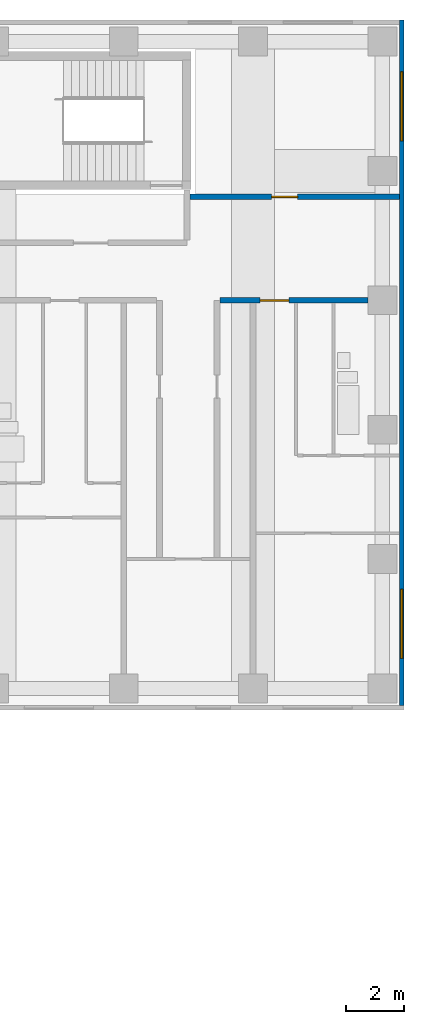
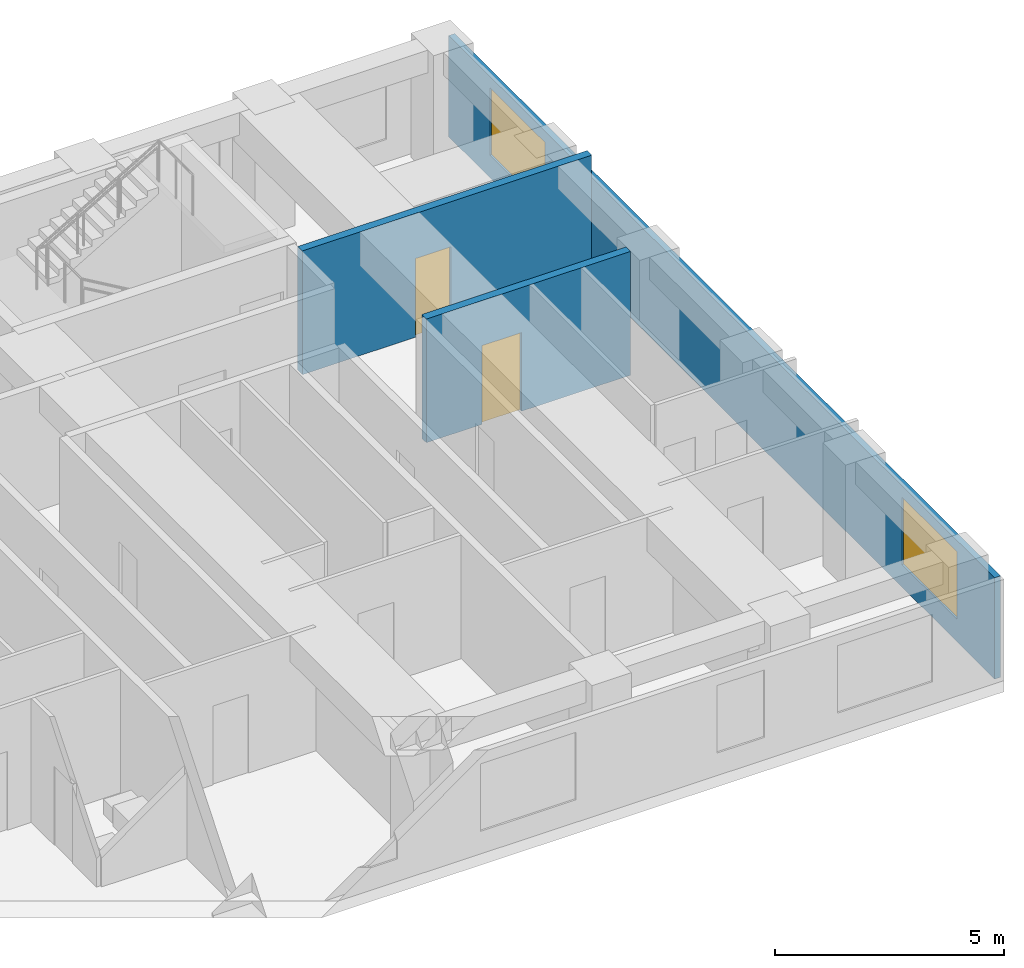
# One storey, part 9 of 12: 3 walls, 2 doors, 2 windows, 4 openings.
"""IFC4 building model written with IfcOpenShell, lengths in metres."""

from ifc_helpers import new_model, si_unit, direction, frame, frame_2d, origin, place, context, subcontext, project, spatial, rectangle, extrude, material, layer, layer_set, type_object, element, fill, save


model = new_model("IFC4")

# Units and contexts
model_context = context("Model", 3, precision=1e-05, world=origin(), true_north=direction((0.0, 1.0)))
body_context = subcontext(model_context, "Body", "Model", "MODEL_VIEW")
ifc_project = project(units=[si_unit("LENGTHUNIT", "METRE"), si_unit("AREAUNIT", "SQUARE_METRE"), si_unit("VOLUMEUNIT", "CUBIC_METRE"), si_unit("PLANEANGLEUNIT", "RADIAN"), si_unit("MASSUNIT", "GRAM", prefix="KILO")], contexts=[model_context])

# Site, building, storey
site_placement = place(None, origin())
site = spatial("IfcSite", under=ifc_project, at=site_placement, CompositionType="ELEMENT")
building_placement = place(site_placement, origin())
building = spatial("IfcBuilding", under=site, at=building_placement, Name="Firuza Court", CompositionType="ELEMENT")
storey_placement = place(building_placement, frame((0.0, 0.0, 126.800048828125)))
storey = spatial("IfcBuildingStorey", under=building, at=storey_placement, Name="L31", CompositionType="ELEMENT", Elevation=126.800048828125)

# Wall, opening, door
ifc_material_1 = material(Name="Blockwork, plastered both sides", Category="masonry")
ifc_layer_1 = layer(ifc_material_1, 0.199951171875)
ifc_layer_set_1 = layer_set([ifc_layer_1], Name="Blockwork, plastered both sides")
wall_type_1 = type_object("IfcWallType", Name="Corridor wall 200", PredefinedType="PARTITIONING", material=ifc_layer_set_1)
wall_1_placement = place(storey_placement, frame((61.85009765625, 49.5, 0.0), z_axis=(0.0, 0.0, 1.0), x_axis=(1.0, 0.0, 0.0)))
wall_1 = element("IfcWall", 1, at=wall_1_placement, inside=storey, type_object=wall_type_1, Name="Corridor wall 200 L31", PredefinedType="PARTITIONING", context=body_context, shape_type="SweptSolid", body=[
    extrude(rectangle(XDim=5.14990234375, YDim=0.199951171875, at=frame_2d((2.574951171875, 0.0))), origin(), (0.0, 0.0, 1.0), 3.300048828125),
])
opening_1_placement = place(wall_1_placement, frame((1.39990234375, 0.0, 0.0)))
opening_1 = element("IfcOpeningElement", 2, at=opening_1_placement, cuts=wall_1, Name="Opening D31070", PredefinedType="OPENING", context=body_context, shape_type="SweptSolid", body=[
    extrude(rectangle(XDim=1.0, YDim=2.10009765625, at=frame_2d((0.5, 1.050048828125))), frame((0.0, 0.11181640625, 0.0), z_axis=(0.0, -1.0, 0.0), x_axis=(1.0, 0.0, 0.0)), (0.0, 0.0, 1.0), 0.223876953125),
])
ifc_material_2 = material(Name="Timber door leaf in hardwood frame", Category="wood")
door_type_1 = type_object("IfcDoorType", Name="Flat entrance door 1000", OperationType="SINGLE_SWING_LEFT", PredefinedType="DOOR", material=ifc_material_2)
door_1_placement = place(opening_1_placement, origin())
door_1 = element("IfcDoor", 3, at=door_1_placement, inside=storey, type_object=door_type_1, Name="Flat entrance door", OperationType="SINGLE_SWING_RIGHT", OverallHeight=2.10009765625, OverallWidth=1.0, PredefinedType="DOOR", context=body_context, shape_type="SweptSolid", body=[
    extrude(rectangle(XDim=1.0, YDim=2.10009765625, at=frame_2d((0.5, 1.050048828125))), frame((0.0, 0.02490234375, 0.0), z_axis=(0.0, -1.0, 0.0), x_axis=(1.0, 0.0, 0.0)), (0.0, 0.0, 1.0), 0.050048828125),
])
fill(opening_1, door_1)

wall_2_placement = place(storey_placement, frame((60.800048828125, 53.10009765625, 0.0), z_axis=(0.0, 0.0, 1.0), x_axis=(1.0, 0.0, 0.0)))
wall_2 = element("IfcWall", 4, at=wall_2_placement, inside=storey, type_object=wall_type_1, Name="Corridor wall 200 L31", PredefinedType="PARTITIONING", context=body_context, shape_type="SweptSolid", body=[
    extrude(rectangle(XDim=7.300048828125, YDim=0.199951171875, at=frame_2d((3.64990234375, 0.0))), origin(), (0.0, 0.0, 1.0), 3.300048828125),
])
opening_2_placement = place(wall_2_placement, frame((2.85009765625, 0.0, 0.0)))
opening_2 = element("IfcOpeningElement", 5, at=opening_2_placement, cuts=wall_2, Name="Opening D31074", PredefinedType="OPENING", context=body_context, shape_type="SweptSolid", body=[
    extrude(rectangle(XDim=0.89990234375, YDim=2.10009765625, at=frame_2d((0.449951171875, 1.050048828125))), frame((0.0, 0.11181640625, 0.0), z_axis=(0.0, -1.0, 0.0), x_axis=(1.0, 0.0, 0.0)), (0.0, 0.0, 1.0), 0.223876953125),
])
ifc_material_3 = material(Name="Timber door leaf in hardwood frame", Category="wood")
door_type_2 = type_object("IfcDoorType", Name="Room door 900 EI 30", OperationType="SINGLE_SWING_LEFT", PredefinedType="DOOR", material=ifc_material_3)
door_2_placement = place(opening_2_placement, origin())
door_2 = element("IfcDoor", 6, at=door_2_placement, inside=storey, type_object=door_type_2, Name="Meeting room door", OperationType="SINGLE_SWING_LEFT", OverallHeight=2.10009765625, OverallWidth=0.89990234375, PredefinedType="DOOR", context=body_context, shape_type="SweptSolid", body=[
    extrude(rectangle(XDim=0.89990234375, YDim=2.10009765625, at=frame_2d((0.449951171875, 1.050048828125))), frame((0.0, 0.02490234375, 0.0), z_axis=(0.0, -1.0, 0.0), x_axis=(1.0, 0.0, 0.0)), (0.0, 0.0, 1.0), 0.050048828125),
])
fill(opening_2, door_2)

# Wall, openings, windows
ifc_material_4 = material(Name="Ceramic tile", Category="ceramic")
ifc_layer_2 = layer(ifc_material_4, 0.02001953125)
ifc_material_5 = material(Name="Mineral wool insulation", Category="insulation")
ifc_layer_3 = layer(ifc_material_5, 0.050048828125)
ifc_material_6 = material(Name="Concrete C40/50 precast", Category="concrete")
ifc_layer_4 = layer(ifc_material_6, 0.080078125)
ifc_layer_set_2 = layer_set([ifc_layer_2, ifc_layer_3, ifc_layer_4], Name="Concrete C40/50 precast")
wall_type_2 = type_object("IfcWallType", Name="Precast cladding wall with turquoise TILE PANEL face 150", PredefinedType="STANDARD", material=ifc_layer_set_2)
wall_3_placement = place(storey_placement, frame((68.175048828125, 35.39990234375, 0.0), z_axis=(0.0, 0.0, 1.0), x_axis=(0.0, 1.0, 0.0)))
wall_3 = element("IfcWall", 7, at=wall_3_placement, inside=storey, type_object=wall_type_2, Name="Facade wall L31 E", PredefinedType="STANDARD", context=body_context, shape_type="SweptSolid", body=[
    extrude(rectangle(XDim=23.85009765625, YDim=0.14990234375, at=frame_2d((11.925048828125, 0.0))), origin(), (0.0, 0.0, 1.0), 2.699951171875),
])
opening_3_placement = place(wall_3_placement, frame((1.64990234375, 0.0, 0.60009765625)))
opening_3 = element("IfcOpeningElement", 8, at=opening_3_placement, cuts=wall_3, Name="Opening W1", PredefinedType="OPENING", context=body_context, shape_type="SweptSolid", body=[
    extrude(rectangle(XDim=2.39990234375, YDim=1.800048828125, at=frame_2d((1.199951171875, 0.89990234375))), frame((0.0, 0.0869140625, 0.0), z_axis=(0.0, -1.0, 0.0), x_axis=(1.0, 0.0, 0.0)), (0.0, 0.0, 1.0), 0.173828125),
])
opening_4_placement = place(wall_3_placement, frame((19.64990234375, 0.0, 0.60009765625)))
opening_4 = element("IfcOpeningElement", 9, at=opening_4_placement, cuts=wall_3, Name="Opening W1", PredefinedType="OPENING", context=body_context, shape_type="SweptSolid", body=[
    extrude(rectangle(XDim=2.39990234375, YDim=1.800048828125, at=frame_2d((1.199951171875, 0.89990234375))), frame((0.0, 0.0869140625, 0.0), z_axis=(0.0, -1.0, 0.0), x_axis=(1.0, 0.0, 0.0)), (0.0, 0.0, 1.0), 0.173828125),
])
ifc_material_7 = material(Name="Aluminium frame, triple clear glazing", Category="aluminium")
window_type = type_object("IfcWindowType", Name="Window W1 2400 x 1800", PartitioningType="SINGLE_PANEL", PredefinedType="WINDOW", material=ifc_material_7)
window_1_placement = place(opening_3_placement, origin())
window_1 = element("IfcWindow", 10, at=window_1_placement, inside=storey, type_object=window_type, Name="Window L31", OverallHeight=1.800048828125, OverallWidth=2.39990234375, PartitioningType="SINGLE_PANEL", PredefinedType="WINDOW", context=body_context, shape_type="SweptSolid", body=[
    extrude(rectangle(XDim=2.39990234375, YDim=1.800048828125, at=frame_2d((1.199951171875, 0.89990234375))), frame((0.0, 0.030029296875, 0.0), z_axis=(0.0, -1.0, 0.0), x_axis=(1.0, 0.0, 0.0)), (0.0, 0.0, 1.0), 0.06005859375),
])
fill(opening_3, window_1)
window_2_placement = place(opening_4_placement, origin())
window_2 = element("IfcWindow", 11, at=window_2_placement, inside=storey, type_object=window_type, Name="Window L31", OverallHeight=1.800048828125, OverallWidth=2.39990234375, PartitioningType="SINGLE_PANEL", PredefinedType="WINDOW", context=body_context, shape_type="SweptSolid", body=[
    extrude(rectangle(XDim=2.39990234375, YDim=1.800048828125, at=frame_2d((1.199951171875, 0.89990234375))), frame((0.0, 0.030029296875, 0.0), z_axis=(0.0, -1.0, 0.0), x_axis=(1.0, 0.0, 0.0)), (0.0, 0.0, 1.0), 0.06005859375),
])
fill(opening_4, window_2)

save(model, "model.ifc")
